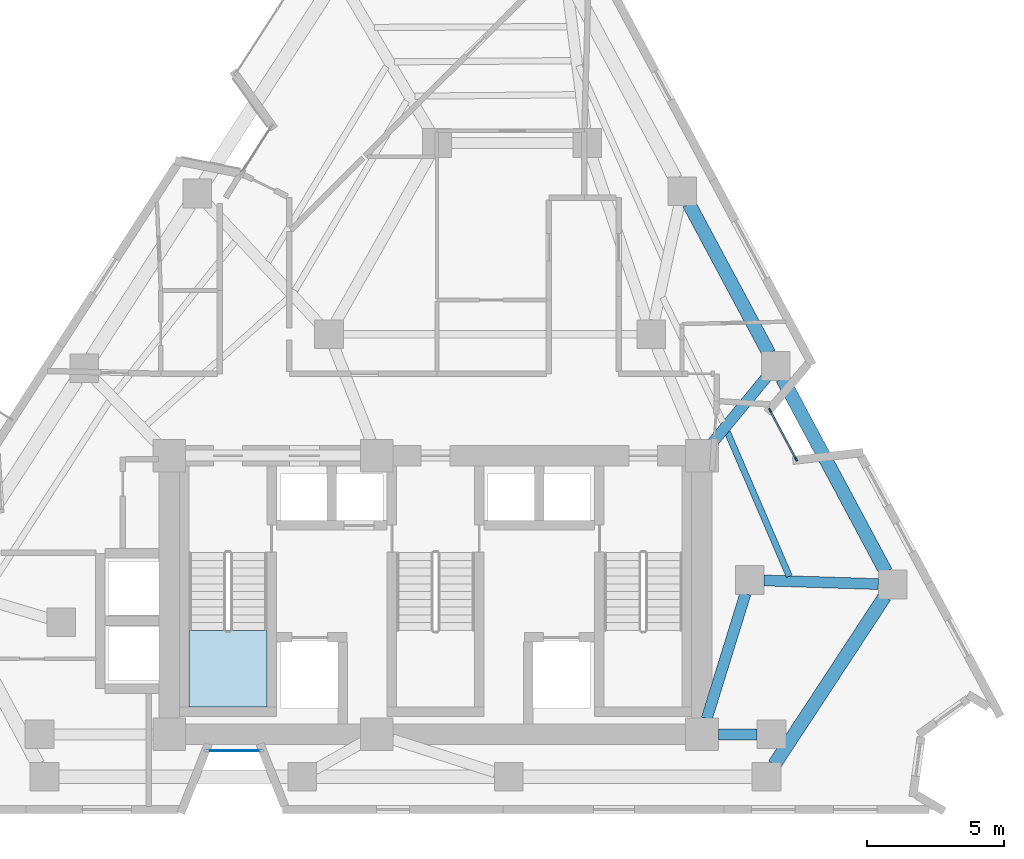
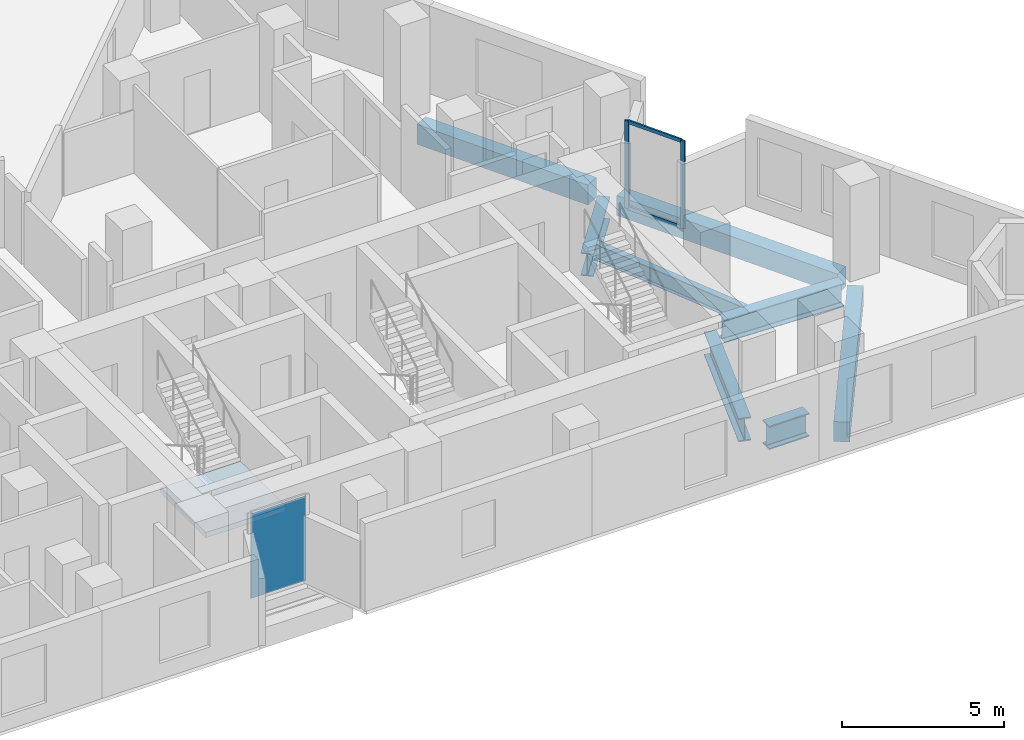
# One storey, part 4 of 11: 8 beams, 4 members, 1 plate, 1 slab, 3 elements without a shape of their own.
"""IFC4 building model written with IfcOpenShell, lengths in metres."""

from ifc_helpers import new_model, si_unit, direction, frame, origin, origin_2d, place, context, subcontext, project, spatial, polyline, rectangle, i_section, outline, extrude, material, layer, layer_set, material_profile, profile_set, type_object, element, aggregate, save


model = new_model("IFC4")

# Units and contexts
model_context = context("Model", 3, precision=1e-05, world=origin(), true_north=direction((0.0, 1.0)))
body_context = subcontext(model_context, "Body", "Model", "MODEL_VIEW")
ifc_project = project(units=[si_unit("LENGTHUNIT", "METRE"), si_unit("AREAUNIT", "SQUARE_METRE"), si_unit("VOLUMEUNIT", "CUBIC_METRE"), si_unit("PLANEANGLEUNIT", "RADIAN"), si_unit("MASSUNIT", "GRAM", prefix="KILO")], contexts=[model_context])

# Site, building, storey
site_placement = place(None, origin())
site = spatial("IfcSite", under=ifc_project, at=site_placement, CompositionType="ELEMENT")
building_placement = place(site_placement, origin())
building = spatial("IfcBuilding", under=site, at=building_placement, Name="Almagre Mirador Tower", CompositionType="ELEMENT")
storey_placement = place(building_placement, frame((0.0, 0.0, 193.199951171875)))
storey = spatial("IfcBuildingStorey", under=building, at=storey_placement, Name="L50", CompositionType="ELEMENT", Elevation=193.199951171875)

# Beams
ifc_material_1 = material(Name="Steel ASTM A992 Grade 50", Category="steel")
ifc_material_profile_1 = material_profile(ifc_material_1, i_section(OverallWidth=0.22802734375, OverallDepth=0.60791015625, WebThickness=0.01123046875, FlangeThickness=0.017333984375, FilletRadius=0.02001953125, at=origin_2d()), Name="W24X76")
ifc_profile_set_1 = profile_set([ifc_material_profile_1], Name="Steel ASTM A992 Grade 50")
beam_type_1 = type_object("IfcBeamType", Name="BM-JST-W24X76", PredefinedType="JOIST", material=ifc_profile_set_1)
beam_1_placement = place(storey_placement, frame((50.250244140625, 10.3349609375, -0.553955078125), z_axis=(-0.394268360647, 0.918995353521, 0.0), x_axis=(-0.918995353521, -0.394268360647, 0.0)))
element("IfcBeam", 1, at=beam_1_placement, inside=storey, type_object=beam_type_1, Name="L50 secondary floor joist PC05-PC06.3", PredefinedType="JOIST", context=body_context, shape_type="SweptSolid", body=[
    extrude(i_section(OverallWidth=0.22802734375, OverallDepth=0.60791015625, WebThickness=0.01123046875, FlangeThickness=0.017333984375, FilletRadius=0.02001953125, at=origin_2d()), origin(), (0.0, 0.0, 1.0), 5.739501953125),
])
ifc_material_2 = material(Name="Precast concrete C50/60", Category="concrete")
ifc_material_profile_2 = material_profile(ifc_material_2, rectangle(XDim=0.5, YDim=0.75, at=origin_2d()), Name="RC500X750")
ifc_profile_set_2 = profile_set([ifc_material_profile_2], Name="Precast concrete C50/60")
beam_type_2 = type_object("IfcBeamType", Name="BM-SPN-RC500X750", PredefinedType="SPANDREL", material=ifc_profile_set_2)
beam_2_placement = place(storey_placement, frame((49.7041015625, 3.43896484375, -0.625), z_axis=(0.548818634592, 0.835941449101, 0.0), x_axis=(-0.835941449101, 0.548818634592, 0.0)))
element("IfcBeam", 2, at=beam_2_placement, inside=storey, type_object=beam_type_2, Name="L50 perimeter spandrel beam PC04-PC05", PredefinedType="SPANDREL", context=body_context, shape_type="SweptSolid", body=[
    extrude(rectangle(XDim=0.5, YDim=0.75, at=origin_2d()), origin(), (0.0, 0.0, 1.0), 7.364501953125),
])
beam_3_placement = place(storey_placement, frame((53.786376953125, 10.496826171875, -0.625), z_axis=(-0.471728183201, 0.881744022477, 0.0), x_axis=(-0.881744022477, -0.471728183201, 0.0)))
element("IfcBeam", 3, at=beam_3_placement, inside=storey, type_object=beam_type_2, Name="L50 perimeter spandrel beam PC05-PC06", PredefinedType="SPANDREL", context=body_context, shape_type="SweptSolid", body=[
    extrude(rectangle(XDim=0.5, YDim=0.75, at=origin_2d()), origin(), (0.0, 0.0, 1.0), 8.02294921875),
])
beam_4_placement = place(storey_placement, frame((49.50634765625, 18.496826171875, -0.625), z_axis=(-0.471722643875, 0.881746985963, 0.0), x_axis=(-0.881746985963, -0.471722643875, 0.0)))
element("IfcBeam", 4, at=beam_4_placement, inside=storey, type_object=beam_type_2, Name="L50 perimeter spandrel beam PC06-PC07", PredefinedType="SPANDREL", context=body_context, shape_type="SweptSolid", body=[
    extrude(rectangle(XDim=0.5, YDim=0.75, at=origin_2d()), origin(), (0.0, 0.0, 1.0), 6.20849609375),
])
ifc_material_3 = material(Name="Steel ASTM A992 Grade 50", Category="steel")
ifc_material_profile_3 = material_profile(ifc_material_3, i_section(OverallWidth=0.39892578125, OverallDepth=0.85595703125, WebThickness=0.018310546875, FlangeThickness=0.029296875, FilletRadius=0.02490234375, at=origin_2d()), Name="W33X201")
ifc_profile_set_3 = profile_set([ifc_material_profile_3], Name="Steel ASTM A992 Grade 50")
beam_type_3 = type_object("IfcBeamType", Name="BM-STL-W33X201", PredefinedType="BEAM", material=ifc_profile_set_3)
beam_5_placement = place(storey_placement, frame((53.50927734375, 10.050537109375, -0.677978515625), z_axis=(-0.999496710108, 0.031722649376, 0.0), x_axis=(-0.031722649376, -0.999496710108, 0.0)))
element("IfcBeam", 5, at=beam_5_placement, inside=storey, type_object=beam_type_3, Name="L50 radial floor girder PC05-MC3", PredefinedType="BEAM", context=body_context, shape_type="SweptSolid", body=[
    extrude(i_section(OverallWidth=0.39892578125, OverallDepth=0.85595703125, WebThickness=0.018310546875, FlangeThickness=0.029296875, FilletRadius=0.02490234375, at=origin_2d()), origin(), (0.0, 0.0, 1.0), 4.186767578125),
])
beam_6_placement = place(storey_placement, frame((49.42041015625, 17.628662109375, -0.677978515625), z_axis=(-0.635660759113, -0.771968522237, 0.0), x_axis=(0.771968522237, -0.635660759113, 0.0)))
element("IfcBeam", 6, at=beam_6_placement, inside=storey, type_object=beam_type_3, Name="L50 radial floor girder PC06-CC6", PredefinedType="BEAM", context=body_context, shape_type="SweptSolid", body=[
    extrude(i_section(OverallWidth=0.39892578125, OverallDepth=0.85595703125, WebThickness=0.018310546875, FlangeThickness=0.029296875, FilletRadius=0.02490234375, at=origin_2d()), origin(), (0.0, 0.0, 1.0), 3.129150390625),
])
ifc_material_4 = material(Name="Steel ASTM A992 Grade 50", Category="steel")
ifc_material_profile_4 = material_profile(ifc_material_4, i_section(OverallWidth=0.404052734375, OverallDepth=0.884033203125, WebThickness=0.0244140625, FlangeThickness=0.0439453125, FilletRadius=0.02490234375, at=origin_2d()), Name="W33X291")
ifc_profile_set_4 = profile_set([ifc_material_profile_4], Name="Steel ASTM A992 Grade 50")
beam_type_4 = type_object("IfcBeamType", Name="BM-STL-W33X291", PredefinedType="BEAM", material=ifc_profile_set_4)
beam_7_placement = place(storey_placement, frame((49.074951171875, 4.550048828125, -0.69189453125), z_axis=(-1.0, 0.0, 0.0), x_axis=(0.0, -1.0, 0.0)))
element("IfcBeam", 7, at=beam_7_placement, inside=storey, type_object=beam_type_4, Name="L50 core tie girder MC2-CC3", PredefinedType="BEAM", context=body_context, shape_type="SweptSolid", body=[
    extrude(i_section(OverallWidth=0.404052734375, OverallDepth=0.884033203125, WebThickness=0.0244140625, FlangeThickness=0.0439453125, FilletRadius=0.02490234375, at=origin_2d()), origin(), (0.0, 0.0, 1.0), 1.425048828125),
])
beam_8_placement = place(storey_placement, frame((48.644775390625, 9.698486328125, -0.69189453125), z_axis=(-0.295879743348, -0.955225197258, 0.0), x_axis=(0.955225197258, -0.295879743348, 0.0)))
element("IfcBeam", 8, at=beam_8_placement, inside=storey, type_object=beam_type_4, Name="L50 core tie girder MC3-CC3", PredefinedType="BEAM", context=body_context, shape_type="SweptSolid", body=[
    extrude(i_section(OverallWidth=0.404052734375, OverallDepth=0.884033203125, WebThickness=0.0244140625, FlangeThickness=0.0439453125, FilletRadius=0.02490234375, at=origin_2d()), origin(), (0.0, 0.0, 1.0), 4.789794921875),
])

# Curtain wall, members
ifc_material_5 = material(Name="Black anodized aluminium", Category="aluminium")
ifc_layer_1 = layer(ifc_material_5, 0.169921875)
ifc_layer_set_1 = layer_set([ifc_layer_1], Name="Black anodized aluminium")
curtain_wall_type = type_object("IfcCurtainWallType", Name="CW-CRS-SYS", PredefinedType="NOTDEFINED", material=ifc_layer_set_1)
curtain_wall_1_placement = place(storey_placement, origin())
curtain_wall_1 = element("IfcCurtainWall", 9, at=curtain_wall_1_placement, inside=storey, type_object=curtain_wall_type, Name="L50 vertical crease curtain wall 03", PredefinedType="NOTDEFINED")
ifc_material_6 = material(Name="Black anodized aluminium", Category="aluminium")
ifc_material_profile_5 = material_profile(ifc_material_6, rectangle(XDim=0.06005859375, YDim=0.14990234375, at=origin_2d()), Name="CWM60X150")
ifc_profile_set_5 = profile_set([ifc_material_profile_5], Name="Black anodized aluminium")
member_type_1 = type_object("IfcMemberType", Name="MBR-CWM60X150", PredefinedType="MULLION", material=ifc_profile_set_5)
member_1_placement = place(storey_placement, frame((49.545166015625, 16.40966796875, 0.0), z_axis=(0.0, 0.0, 1.0), x_axis=(0.881742992316, 0.47173010875, 0.0)))
member_1 = element("IfcMember", 10, at=member_1_placement, type_object=member_type_1, Name="CW-4 mullion 1", PredefinedType="MULLION", context=body_context, shape_type="SweptSolid", body=[
    extrude(rectangle(XDim=0.06005859375, YDim=0.14990234375, at=origin_2d()), origin(), (0.0, 0.0, 1.0), 3.300048828125),
])
member_2_placement = place(storey_placement, frame((50.5029296875, 14.619384765625, 0.0), z_axis=(0.0, 0.0, 1.0), x_axis=(0.881742992316, 0.47173010875, 0.0)))
member_2 = element("IfcMember", 11, at=member_2_placement, type_object=member_type_1, Name="CW-4 mullion 2", PredefinedType="MULLION", context=body_context, shape_type="SweptSolid", body=[
    extrude(rectangle(XDim=0.06005859375, YDim=0.14990234375, at=origin_2d()), origin(), (0.0, 0.0, 1.0), 3.300048828125),
])
ifc_material_7 = material(Name="Black anodized aluminium", Category="aluminium")
ifc_material_profile_6 = material_profile(ifc_material_7, rectangle(XDim=0.06005859375, YDim=0.1298828125, at=origin_2d()), Name="CWT60X130")
ifc_profile_set_6 = profile_set([ifc_material_profile_6], Name="Black anodized aluminium")
member_type_2 = type_object("IfcMemberType", Name="MBR-CWT60X130", PredefinedType="USERDEFINED", material=ifc_profile_set_6)
member_3_placement = place(storey_placement, frame((49.559326171875, 16.383056640625, 0.030029296875), z_axis=(0.471777732693, -0.881717511981, 0.0), x_axis=(0.881717511981, 0.471777732693, 0.0)))
member_3 = element("IfcMember", 12, at=member_3_placement, type_object=member_type_2, Name="CW-4 transom 1.1", ObjectType="TRANSOM", PredefinedType="USERDEFINED", context=body_context, shape_type="SweptSolid", body=[
    extrude(rectangle(XDim=0.06005859375, YDim=0.1298828125, at=origin_2d()), origin(), (0.0, 0.0, 1.0), 1.969970703125),
])
member_4_placement = place(storey_placement, frame((49.559326171875, 16.383056640625, 3.27001953125), z_axis=(0.471777732693, -0.881717511981, 0.0), x_axis=(0.881717511981, 0.471777732693, 0.0)))
member_4 = element("IfcMember", 13, at=member_4_placement, type_object=member_type_2, Name="CW-4 transom 1.2", ObjectType="TRANSOM", PredefinedType="USERDEFINED", context=body_context, shape_type="SweptSolid", body=[
    extrude(rectangle(XDim=0.06005859375, YDim=0.1298828125, at=origin_2d()), origin(), (0.0, 0.0, 1.0), 1.969970703125),
])
aggregate(curtain_wall_1, [member_1, member_2, member_3, member_4])

# Curtain wall, plate
curtain_wall_2_placement = place(storey_placement, origin())
curtain_wall_2 = element("IfcCurtainWall", 14, at=curtain_wall_2_placement, inside=storey, type_object=curtain_wall_type, Name="L50 vertical crease curtain wall 04", PredefinedType="NOTDEFINED")
ifc_material_8 = material(Name="Dark solar-control laminated hurricane glass", Category="glass")
ifc_layer_2 = layer(ifc_material_8, 0.028076171875)
ifc_layer_set_2 = layer_set([ifc_layer_2], Name="Dark solar-control laminated hurricane glass")
plate_type = type_object("IfcPlateType", Name="PLT-GLZ-28", PredefinedType="CURTAIN_PANEL", material=ifc_layer_set_2)
plate_placement = place(storey_placement, frame((29.927978515625, 3.949951171875, 0.06005859375), z_axis=(0.0, 0.0, 1.0), x_axis=(-1.0, 0.0, 0.0)))
plate = element("IfcPlate", 15, at=plate_placement, type_object=plate_type, Name="CW-4 panel 1.1", PredefinedType="CURTAIN_PANEL", context=body_context, shape_type="SweptSolid", body=[
    extrude(rectangle(XDim=1.969970703125, YDim=0.028076171875, at=origin_2d()), origin(), (0.0, 0.0, 1.0), 3.179931640625),
])
aggregate(curtain_wall_2, [plate])

# Stair, slab
ifc_material_9 = material(Name="Concrete C45/55", Category="concrete")
stair_type = type_object("IfcStairType", Name="STR-DL-3600", PredefinedType="HALF_TURN_STAIR", material=ifc_material_9)
stair_placement = place(storey_placement, origin())
stair = element("IfcStair", 16, at=stair_placement, inside=storey, type_object=stair_type, Name="L50 Protected exit stair ST-1", PredefinedType="HALF_TURN_STAIR")
ifc_material_10 = material(Name="Concrete C45/55", Category="concrete")
ifc_layer_3 = layer(ifc_material_10, 0.199951171875)
ifc_layer_set_3 = layer_set([ifc_layer_3], Name="Concrete C45/55")
slab_type = type_object("IfcSlabType", Name="SLB-LND-200", PredefinedType="LANDING", material=ifc_layer_set_3)
slab_placement = place(storey_placement, frame((0.0, 0.0, 1.60009765625)))
slab = element("IfcSlab", 17, at=slab_placement, type_object=slab_type, Name="ST-1 landing 1", PredefinedType="LANDING", context=body_context, shape_type="SweptSolid", body=[
    extrude(outline(polyline([(28.27490234375, 8.35009765625), (28.27490234375, 5.550048828125), (31.125, 5.550048828125), (31.125, 8.35009765625), (28.27490234375, 8.35009765625)])), origin(), (0.0, 0.0, 1.0), 0.199951171875),
])
aggregate(stair, [slab])

save(model, "model.ifc")
